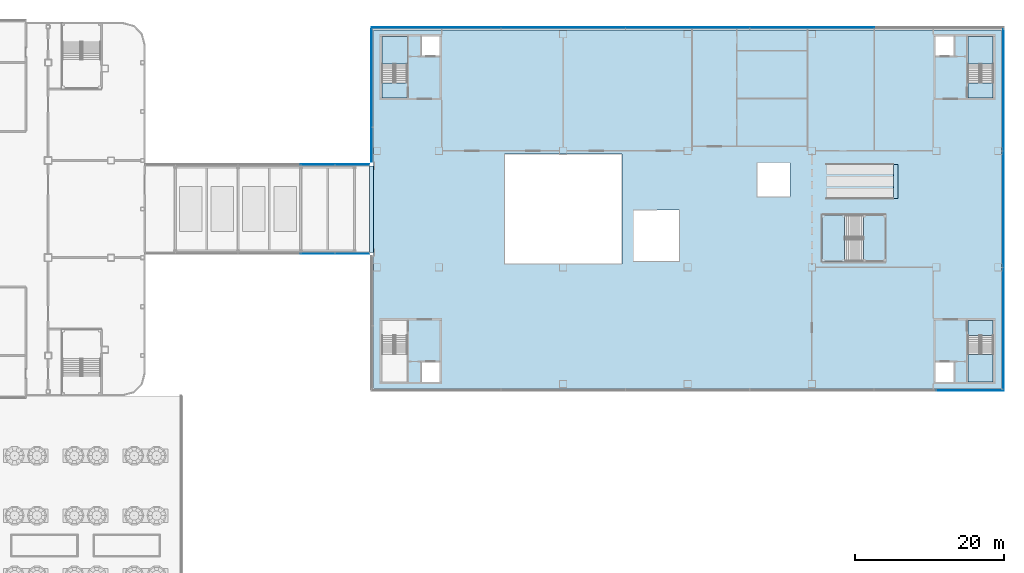
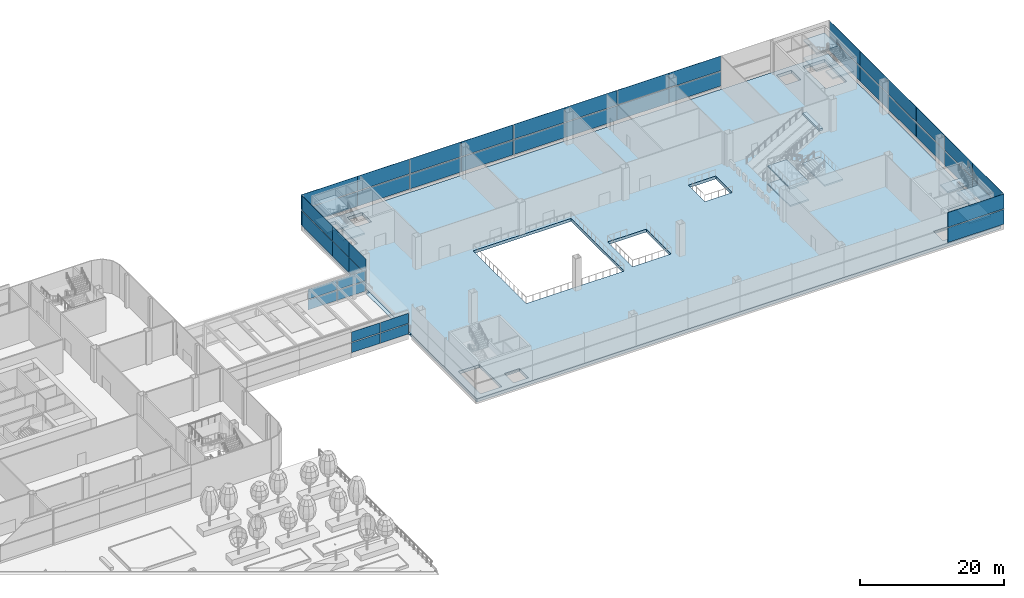
# One storey, part 28 of 100: 46 plates, 13 slabs, 10 elements without a shape of their own.
"""IFC4 building model written with IfcOpenShell, lengths in metres."""

from ifc_helpers import new_model, si_unit, direction, frame, origin, origin_2d, place, context, subcontext, project, spatial, polyline, rectangle, outline, extrude, material, layer, layer_set, type_object, element, aggregate, save


model = new_model("IFC4")

# Units and contexts
model_context = context("Model", 3, precision=1e-05, world=origin(), true_north=direction((0.0, 1.0)))
body_context = subcontext(model_context, "Body", "Model", "MODEL_VIEW")
ifc_project = project(units=[si_unit("LENGTHUNIT", "METRE"), si_unit("AREAUNIT", "SQUARE_METRE"), si_unit("VOLUMEUNIT", "CUBIC_METRE"), si_unit("PLANEANGLEUNIT", "RADIAN"), si_unit("MASSUNIT", "GRAM", prefix="KILO")], contexts=[model_context])

# Site, building, storey
site_placement = place(None, origin())
site = spatial("IfcSite", under=ifc_project, at=site_placement, CompositionType="ELEMENT")
building_placement = place(site_placement, origin())
building = spatial("IfcBuilding", under=site, at=building_placement, Name="Hakoniwa Tower and Hamabe Station Hall", CompositionType="ELEMENT")
storey_placement = place(building_placement, frame((0.0, 0.0, 9.0)))
storey = spatial("IfcBuildingStorey", under=building, at=storey_placement, Name="L02", CompositionType="ELEMENT", Elevation=9.0)

# Curtain wall, plates
ifc_material_1 = material(Name="Dark low-e laminated glass", Category="glass")
ifc_layer_1 = layer(ifc_material_1, 0.199951171875)
ifc_layer_set_1 = layer_set([ifc_layer_1], Name="CW-5 ARCADE")
curtain_wall_type_1 = type_object("IfcCurtainWallType", Name="CW-5 ARCADE", PredefinedType="NOTDEFINED", material=ifc_layer_set_1)
curtain_wall_1_placement = place(storey_placement, origin())
curtain_wall_1 = element("IfcCurtainWall", 1, at=curtain_wall_1_placement, inside=storey, type_object=curtain_wall_type_1, Name="CW-5 curtain wall", PredefinedType="NOTDEFINED")
ifc_material_2 = material(Name="Dark low-e laminated glass", Category="glass")
ifc_layer_2 = layer(ifc_material_2, 0.033935546875)
ifc_layer_set_2 = layer_set([ifc_layer_2], Name="CW-5 ARCADE GLASS UNIT")
plate_type_1 = type_object("IfcPlateType", Name="CW-5 ARCADE GLASS UNIT", PredefinedType="CURTAIN_PANEL", material=ifc_layer_set_2)
plate_1_placement = place(storey_placement, frame((78.10009765625, -5.986083984375, 0.35009765625), z_axis=(0.0, 0.0, 1.0), x_axis=(1.0, 0.0, 0.0)))
plate_1 = element("IfcPlate", 2, at=plate_1_placement, type_object=plate_type_1, Name="CW-5 glass unit", PredefinedType="CURTAIN_PANEL", context=body_context, shape_type="SweptSolid", body=[
    extrude(rectangle(XDim=4.580078125, YDim=0.033935546875, at=origin_2d()), origin(), (0.0, 0.0, 1.0), 1.68994140625),
])
plate_2_placement = place(storey_placement, frame((78.10009765625, -5.986083984375, 2.159912109375), z_axis=(0.0, 0.0, 1.0), x_axis=(1.0, 0.0, 0.0)))
plate_2 = element("IfcPlate", 3, at=plate_2_placement, type_object=plate_type_1, Name="CW-5 glass unit", PredefinedType="CURTAIN_PANEL", context=body_context, shape_type="SweptSolid", body=[
    extrude(rectangle(XDim=4.580078125, YDim=0.033935546875, at=origin_2d()), origin(), (0.0, 0.0, 1.0), 1.68994140625),
])
plate_3_placement = place(storey_placement, frame((82.699951171875, -5.986083984375, 0.35009765625), z_axis=(0.0, 0.0, 1.0), x_axis=(1.0, 0.0, 0.0)))
plate_3 = element("IfcPlate", 4, at=plate_3_placement, type_object=plate_type_1, Name="CW-5 glass unit", PredefinedType="CURTAIN_PANEL", context=body_context, shape_type="SweptSolid", body=[
    extrude(rectangle(XDim=4.580078125, YDim=0.033935546875, at=origin_2d()), origin(), (0.0, 0.0, 1.0), 1.68994140625),
])
plate_4_placement = place(storey_placement, frame((82.699951171875, -5.986083984375, 2.159912109375), z_axis=(0.0, 0.0, 1.0), x_axis=(1.0, 0.0, 0.0)))
plate_4 = element("IfcPlate", 5, at=plate_4_placement, type_object=plate_type_1, Name="CW-5 glass unit", PredefinedType="CURTAIN_PANEL", context=body_context, shape_type="SweptSolid", body=[
    extrude(rectangle(XDim=4.580078125, YDim=0.033935546875, at=origin_2d()), origin(), (0.0, 0.0, 1.0), 1.68994140625),
])
aggregate(curtain_wall_1, [plate_1, plate_2, plate_3, plate_4])

curtain_wall_2_placement = place(storey_placement, origin())
curtain_wall_2 = element("IfcCurtainWall", 6, at=curtain_wall_2_placement, inside=storey, type_object=curtain_wall_type_1, Name="CW-5 curtain wall", PredefinedType="NOTDEFINED")
plate_5_placement = place(storey_placement, frame((82.699951171875, 5.986083984375, 0.35009765625), z_axis=(0.0, 0.0, 1.0), x_axis=(-1.0, 0.0, 0.0)))
plate_5 = element("IfcPlate", 7, at=plate_5_placement, type_object=plate_type_1, Name="CW-5 glass unit", PredefinedType="CURTAIN_PANEL", context=body_context, shape_type="SweptSolid", body=[
    extrude(rectangle(XDim=4.580078125, YDim=0.033935546875, at=origin_2d()), origin(), (0.0, 0.0, 1.0), 1.68994140625),
])
plate_6_placement = place(storey_placement, frame((82.699951171875, 5.986083984375, 2.159912109375), z_axis=(0.0, 0.0, 1.0), x_axis=(-1.0, 0.0, 0.0)))
plate_6 = element("IfcPlate", 8, at=plate_6_placement, type_object=plate_type_1, Name="CW-5 glass unit", PredefinedType="CURTAIN_PANEL", context=body_context, shape_type="SweptSolid", body=[
    extrude(rectangle(XDim=4.580078125, YDim=0.033935546875, at=origin_2d()), origin(), (0.0, 0.0, 1.0), 1.68994140625),
])
plate_7_placement = place(storey_placement, frame((78.10009765625, 5.986083984375, 0.35009765625), z_axis=(0.0, 0.0, 1.0), x_axis=(-1.0, 0.0, 0.0)))
plate_7 = element("IfcPlate", 9, at=plate_7_placement, type_object=plate_type_1, Name="CW-5 glass unit", PredefinedType="CURTAIN_PANEL", context=body_context, shape_type="SweptSolid", body=[
    extrude(rectangle(XDim=4.580078125, YDim=0.033935546875, at=origin_2d()), origin(), (0.0, 0.0, 1.0), 1.68994140625),
])
plate_8_placement = place(storey_placement, frame((78.10009765625, 5.986083984375, 2.159912109375), z_axis=(0.0, 0.0, 1.0), x_axis=(-1.0, 0.0, 0.0)))
plate_8 = element("IfcPlate", 10, at=plate_8_placement, type_object=plate_type_1, Name="CW-5 glass unit", PredefinedType="CURTAIN_PANEL", context=body_context, shape_type="SweptSolid", body=[
    extrude(rectangle(XDim=4.580078125, YDim=0.033935546875, at=origin_2d()), origin(), (0.0, 0.0, 1.0), 1.68994140625),
])
aggregate(curtain_wall_2, [plate_5, plate_6, plate_7, plate_8])

ifc_material_3 = material(Name="Dark low-e laminated glass", Category="glass")
ifc_layer_3 = layer(ifc_material_3, 0.199951171875)
ifc_layer_set_3 = layer_set([ifc_layer_3], Name="CW-7 STATION")
curtain_wall_type_2 = type_object("IfcCurtainWallType", Name="CW-7 STATION", PredefinedType="NOTDEFINED", material=ifc_layer_set_3)
curtain_wall_3_placement = place(storey_placement, origin())
curtain_wall_3 = element("IfcCurtainWall", 11, at=curtain_wall_3_placement, inside=storey, type_object=curtain_wall_type_2, Name="Station curtain wall L02 south", PredefinedType="NOTDEFINED")
ifc_material_4 = material(Name="Dark low-e laminated glass", Category="glass")
ifc_layer_4 = layer(ifc_material_4, 0.0400390625)
ifc_layer_set_4 = layer_set([ifc_layer_4], Name="CW-7 STATION GLASS UNIT")
plate_type_2 = type_object("IfcPlateType", Name="CW-7 STATION GLASS UNIT", PredefinedType="CURTAIN_PANEL", material=ifc_layer_set_4)
plate_9_placement = place(storey_placement, frame((165.340087890625, -24.285888671875, 0.35009765625), z_axis=(0.0, 0.0, 1.0), x_axis=(1.0, 0.0, 0.0)))
plate_9 = element("IfcPlate", 12, at=plate_9_placement, type_object=plate_type_2, Name="CW-7 glass unit", PredefinedType="CURTAIN_PANEL", context=body_context, shape_type="SweptSolid", body=[
    extrude(rectangle(XDim=9.0, YDim=0.0400390625, at=origin_2d()), origin(), (0.0, 0.0, 1.0), 2.489990234375),
])
plate_10_placement = place(storey_placement, frame((165.340087890625, -24.285888671875, 2.9599609375), z_axis=(0.0, 0.0, 1.0), x_axis=(1.0, 0.0, 0.0)))
plate_10 = element("IfcPlate", 13, at=plate_10_placement, type_object=plate_type_2, Name="CW-7 glass unit", PredefinedType="CURTAIN_PANEL", context=body_context, shape_type="SweptSolid", body=[
    extrude(rectangle(XDim=9.0, YDim=0.0400390625, at=origin_2d()), origin(), (0.0, 0.0, 1.0), 2.489990234375),
])
aggregate(curtain_wall_3, [plate_9, plate_10])

curtain_wall_4_placement = place(storey_placement, origin())
curtain_wall_4 = element("IfcCurtainWall", 14, at=curtain_wall_4_placement, inside=storey, type_object=curtain_wall_type_2, Name="Station curtain wall L02 east", PredefinedType="NOTDEFINED")
plate_11_placement = place(storey_placement, frame((169.8359375, -19.85009765625, 0.35009765625), z_axis=(0.0, 0.0, 1.0), x_axis=(0.0, 1.0, 0.0)))
plate_11 = element("IfcPlate", 15, at=plate_11_placement, type_object=plate_type_2, Name="CW-7 glass unit", PredefinedType="CURTAIN_PANEL", context=body_context, shape_type="SweptSolid", body=[
    extrude(rectangle(XDim=8.47998046875, YDim=0.0400390625, at=origin_2d()), origin(), (0.0, 0.0, 1.0), 2.489990234375),
])
plate_12_placement = place(storey_placement, frame((169.8359375, -19.85009765625, 2.9599609375), z_axis=(0.0, 0.0, 1.0), x_axis=(0.0, 1.0, 0.0)))
plate_12 = element("IfcPlate", 16, at=plate_12_placement, type_object=plate_type_2, Name="CW-7 glass unit", PredefinedType="CURTAIN_PANEL", context=body_context, shape_type="SweptSolid", body=[
    extrude(rectangle(XDim=8.47998046875, YDim=0.0400390625, at=origin_2d()), origin(), (0.0, 0.0, 1.0), 2.489990234375),
])
plate_13_placement = place(storey_placement, frame((169.8359375, -11.699951171875, 0.35009765625), z_axis=(0.0, 0.0, 1.0), x_axis=(0.0, 1.0, 0.0)))
plate_13 = element("IfcPlate", 17, at=plate_13_placement, type_object=plate_type_2, Name="CW-7 glass unit", PredefinedType="CURTAIN_PANEL", context=body_context, shape_type="SweptSolid", body=[
    extrude(rectangle(XDim=7.780029296875, YDim=0.0400390625, at=origin_2d()), origin(), (0.0, 0.0, 1.0), 2.489990234375),
])
plate_14_placement = place(storey_placement, frame((169.8359375, -11.699951171875, 2.9599609375), z_axis=(0.0, 0.0, 1.0), x_axis=(0.0, 1.0, 0.0)))
plate_14 = element("IfcPlate", 18, at=plate_14_placement, type_object=plate_type_2, Name="CW-7 glass unit", PredefinedType="CURTAIN_PANEL", context=body_context, shape_type="SweptSolid", body=[
    extrude(rectangle(XDim=7.780029296875, YDim=0.0400390625, at=origin_2d()), origin(), (0.0, 0.0, 1.0), 2.489990234375),
])
plate_15_placement = place(storey_placement, frame((169.8359375, -3.89990234375, 0.35009765625), z_axis=(0.0, 0.0, 1.0), x_axis=(0.0, 1.0, 0.0)))
plate_15 = element("IfcPlate", 19, at=plate_15_placement, type_object=plate_type_2, Name="CW-7 glass unit", PredefinedType="CURTAIN_PANEL", context=body_context, shape_type="SweptSolid", body=[
    extrude(rectangle(XDim=7.780029296875, YDim=0.0400390625, at=origin_2d()), origin(), (0.0, 0.0, 1.0), 2.489990234375),
])
plate_16_placement = place(storey_placement, frame((169.8359375, -3.89990234375, 2.9599609375), z_axis=(0.0, 0.0, 1.0), x_axis=(0.0, 1.0, 0.0)))
plate_16 = element("IfcPlate", 20, at=plate_16_placement, type_object=plate_type_2, Name="CW-7 glass unit", PredefinedType="CURTAIN_PANEL", context=body_context, shape_type="SweptSolid", body=[
    extrude(rectangle(XDim=7.780029296875, YDim=0.0400390625, at=origin_2d()), origin(), (0.0, 0.0, 1.0), 2.489990234375),
])
plate_17_placement = place(storey_placement, frame((169.8359375, 3.89990234375, 0.35009765625), z_axis=(0.0, 0.0, 1.0), x_axis=(0.0, 1.0, 0.0)))
plate_17 = element("IfcPlate", 21, at=plate_17_placement, type_object=plate_type_2, Name="CW-7 glass unit", PredefinedType="CURTAIN_PANEL", context=body_context, shape_type="SweptSolid", body=[
    extrude(rectangle(XDim=7.780029296875, YDim=0.0400390625, at=origin_2d()), origin(), (0.0, 0.0, 1.0), 2.489990234375),
])
plate_18_placement = place(storey_placement, frame((169.8359375, 3.89990234375, 2.9599609375), z_axis=(0.0, 0.0, 1.0), x_axis=(0.0, 1.0, 0.0)))
plate_18 = element("IfcPlate", 22, at=plate_18_placement, type_object=plate_type_2, Name="CW-7 glass unit", PredefinedType="CURTAIN_PANEL", context=body_context, shape_type="SweptSolid", body=[
    extrude(rectangle(XDim=7.780029296875, YDim=0.0400390625, at=origin_2d()), origin(), (0.0, 0.0, 1.0), 2.489990234375),
])
plate_19_placement = place(storey_placement, frame((169.8359375, 11.699951171875, 0.35009765625), z_axis=(0.0, 0.0, 1.0), x_axis=(0.0, 1.0, 0.0)))
plate_19 = element("IfcPlate", 23, at=plate_19_placement, type_object=plate_type_2, Name="CW-7 glass unit", PredefinedType="CURTAIN_PANEL", context=body_context, shape_type="SweptSolid", body=[
    extrude(rectangle(XDim=7.780029296875, YDim=0.0400390625, at=origin_2d()), origin(), (0.0, 0.0, 1.0), 2.489990234375),
])
plate_20_placement = place(storey_placement, frame((169.8359375, 11.699951171875, 2.9599609375), z_axis=(0.0, 0.0, 1.0), x_axis=(0.0, 1.0, 0.0)))
plate_20 = element("IfcPlate", 24, at=plate_20_placement, type_object=plate_type_2, Name="CW-7 glass unit", PredefinedType="CURTAIN_PANEL", context=body_context, shape_type="SweptSolid", body=[
    extrude(rectangle(XDim=7.780029296875, YDim=0.0400390625, at=origin_2d()), origin(), (0.0, 0.0, 1.0), 2.489990234375),
])
plate_21_placement = place(storey_placement, frame((169.8359375, 19.85009765625, 0.35009765625), z_axis=(0.0, 0.0, 1.0), x_axis=(0.0, 1.0, 0.0)))
plate_21 = element("IfcPlate", 25, at=plate_21_placement, type_object=plate_type_2, Name="CW-7 glass unit", PredefinedType="CURTAIN_PANEL", context=body_context, shape_type="SweptSolid", body=[
    extrude(rectangle(XDim=8.47998046875, YDim=0.0400390625, at=origin_2d()), origin(), (0.0, 0.0, 1.0), 2.489990234375),
])
plate_22_placement = place(storey_placement, frame((169.8359375, 19.85009765625, 2.9599609375), z_axis=(0.0, 0.0, 1.0), x_axis=(0.0, 1.0, 0.0)))
plate_22 = element("IfcPlate", 26, at=plate_22_placement, type_object=plate_type_2, Name="CW-7 glass unit", PredefinedType="CURTAIN_PANEL", context=body_context, shape_type="SweptSolid", body=[
    extrude(rectangle(XDim=8.47998046875, YDim=0.0400390625, at=origin_2d()), origin(), (0.0, 0.0, 1.0), 2.489990234375),
])
aggregate(curtain_wall_4, [plate_11, plate_12, plate_13, plate_14, plate_15, plate_16, plate_17, plate_18, plate_19, plate_20, plate_21, plate_22])

curtain_wall_5_placement = place(storey_placement, origin())
curtain_wall_5 = element("IfcCurtainWall", 27, at=curtain_wall_5_placement, inside=storey, type_object=curtain_wall_type_2, Name="Station curtain wall L02 north", PredefinedType="NOTDEFINED")
plate_23_placement = place(storey_placement, frame((148.35009765625, 24.285888671875, 0.35009765625), z_axis=(0.0, 0.0, 1.0), x_axis=(-1.0, 0.0, 0.0)))
plate_23 = element("IfcPlate", 28, at=plate_23_placement, type_object=plate_type_2, Name="CW-7 glass unit", PredefinedType="CURTAIN_PANEL", context=body_context, shape_type="SweptSolid", body=[
    extrude(rectangle(XDim=8.300048828125, YDim=0.0400390625, at=origin_2d()), origin(), (0.0, 0.0, 1.0), 2.489990234375),
])
plate_24_placement = place(storey_placement, frame((148.35009765625, 24.285888671875, 2.9599609375), z_axis=(0.0, 0.0, 1.0), x_axis=(-1.0, 0.0, 0.0)))
plate_24 = element("IfcPlate", 29, at=plate_24_placement, type_object=plate_type_2, Name="CW-7 glass unit", PredefinedType="CURTAIN_PANEL", context=body_context, shape_type="SweptSolid", body=[
    extrude(rectangle(XDim=8.300048828125, YDim=0.0400390625, at=origin_2d()), origin(), (0.0, 0.0, 1.0), 2.489990234375),
])
plate_25_placement = place(storey_placement, frame((140.030029296875, 24.285888671875, 0.35009765625), z_axis=(0.0, 0.0, 1.0), x_axis=(-1.0, 0.0, 0.0)))
plate_25 = element("IfcPlate", 30, at=plate_25_placement, type_object=plate_type_2, Name="CW-7 glass unit", PredefinedType="CURTAIN_PANEL", context=body_context, shape_type="SweptSolid", body=[
    extrude(rectangle(XDim=8.300048828125, YDim=0.0400390625, at=origin_2d()), origin(), (0.0, 0.0, 1.0), 2.489990234375),
])
plate_26_placement = place(storey_placement, frame((140.030029296875, 24.285888671875, 2.9599609375), z_axis=(0.0, 0.0, 1.0), x_axis=(-1.0, 0.0, 0.0)))
plate_26 = element("IfcPlate", 31, at=plate_26_placement, type_object=plate_type_2, Name="CW-7 glass unit", PredefinedType="CURTAIN_PANEL", context=body_context, shape_type="SweptSolid", body=[
    extrude(rectangle(XDim=8.300048828125, YDim=0.0400390625, at=origin_2d()), origin(), (0.0, 0.0, 1.0), 2.489990234375),
])
plate_27_placement = place(storey_placement, frame((131.7099609375, 24.285888671875, 0.35009765625), z_axis=(0.0, 0.0, 1.0), x_axis=(-1.0, 0.0, 0.0)))
plate_27 = element("IfcPlate", 32, at=plate_27_placement, type_object=plate_type_2, Name="CW-7 glass unit", PredefinedType="CURTAIN_PANEL", context=body_context, shape_type="SweptSolid", body=[
    extrude(rectangle(XDim=8.300048828125, YDim=0.0400390625, at=origin_2d()), origin(), (0.0, 0.0, 1.0), 2.489990234375),
])
plate_28_placement = place(storey_placement, frame((131.7099609375, 24.285888671875, 2.9599609375), z_axis=(0.0, 0.0, 1.0), x_axis=(-1.0, 0.0, 0.0)))
plate_28 = element("IfcPlate", 33, at=plate_28_placement, type_object=plate_type_2, Name="CW-7 glass unit", PredefinedType="CURTAIN_PANEL", context=body_context, shape_type="SweptSolid", body=[
    extrude(rectangle(XDim=8.300048828125, YDim=0.0400390625, at=origin_2d()), origin(), (0.0, 0.0, 1.0), 2.489990234375),
])
plate_29_placement = place(storey_placement, frame((123.389892578125, 24.285888671875, 0.35009765625), z_axis=(0.0, 0.0, 1.0), x_axis=(-1.0, 0.0, 0.0)))
plate_29 = element("IfcPlate", 34, at=plate_29_placement, type_object=plate_type_2, Name="CW-7 glass unit", PredefinedType="CURTAIN_PANEL", context=body_context, shape_type="SweptSolid", body=[
    extrude(rectangle(XDim=8.300048828125, YDim=0.0400390625, at=origin_2d()), origin(), (0.0, 0.0, 1.0), 2.489990234375),
])
plate_30_placement = place(storey_placement, frame((123.389892578125, 24.285888671875, 2.9599609375), z_axis=(0.0, 0.0, 1.0), x_axis=(-1.0, 0.0, 0.0)))
plate_30 = element("IfcPlate", 35, at=plate_30_placement, type_object=plate_type_2, Name="CW-7 glass unit", PredefinedType="CURTAIN_PANEL", context=body_context, shape_type="SweptSolid", body=[
    extrude(rectangle(XDim=8.300048828125, YDim=0.0400390625, at=origin_2d()), origin(), (0.0, 0.0, 1.0), 2.489990234375),
])
plate_31_placement = place(storey_placement, frame((115.070068359375, 24.285888671875, 0.35009765625), z_axis=(0.0, 0.0, 1.0), x_axis=(-1.0, 0.0, 0.0)))
plate_31 = element("IfcPlate", 36, at=plate_31_placement, type_object=plate_type_2, Name="CW-7 glass unit", PredefinedType="CURTAIN_PANEL", context=body_context, shape_type="SweptSolid", body=[
    extrude(rectangle(XDim=8.300048828125, YDim=0.0400390625, at=origin_2d()), origin(), (0.0, 0.0, 1.0), 2.489990234375),
])
plate_32_placement = place(storey_placement, frame((115.070068359375, 24.285888671875, 2.9599609375), z_axis=(0.0, 0.0, 1.0), x_axis=(-1.0, 0.0, 0.0)))
plate_32 = element("IfcPlate", 37, at=plate_32_placement, type_object=plate_type_2, Name="CW-7 glass unit", PredefinedType="CURTAIN_PANEL", context=body_context, shape_type="SweptSolid", body=[
    extrude(rectangle(XDim=8.300048828125, YDim=0.0400390625, at=origin_2d()), origin(), (0.0, 0.0, 1.0), 2.489990234375),
])
plate_33_placement = place(storey_placement, frame((106.75, 24.285888671875, 0.35009765625), z_axis=(0.0, 0.0, 1.0), x_axis=(-1.0, 0.0, 0.0)))
plate_33 = element("IfcPlate", 38, at=plate_33_placement, type_object=plate_type_2, Name="CW-7 glass unit", PredefinedType="CURTAIN_PANEL", context=body_context, shape_type="SweptSolid", body=[
    extrude(rectangle(XDim=8.300048828125, YDim=0.0400390625, at=origin_2d()), origin(), (0.0, 0.0, 1.0), 2.489990234375),
])
plate_34_placement = place(storey_placement, frame((106.75, 24.285888671875, 2.9599609375), z_axis=(0.0, 0.0, 1.0), x_axis=(-1.0, 0.0, 0.0)))
plate_34 = element("IfcPlate", 39, at=plate_34_placement, type_object=plate_type_2, Name="CW-7 glass unit", PredefinedType="CURTAIN_PANEL", context=body_context, shape_type="SweptSolid", body=[
    extrude(rectangle(XDim=8.300048828125, YDim=0.0400390625, at=origin_2d()), origin(), (0.0, 0.0, 1.0), 2.489990234375),
])
plate_35_placement = place(storey_placement, frame((98.429931640625, 24.285888671875, 0.35009765625), z_axis=(0.0, 0.0, 1.0), x_axis=(-1.0, 0.0, 0.0)))
plate_35 = element("IfcPlate", 40, at=plate_35_placement, type_object=plate_type_2, Name="CW-7 glass unit", PredefinedType="CURTAIN_PANEL", context=body_context, shape_type="SweptSolid", body=[
    extrude(rectangle(XDim=8.300048828125, YDim=0.0400390625, at=origin_2d()), origin(), (0.0, 0.0, 1.0), 2.489990234375),
])
plate_36_placement = place(storey_placement, frame((98.429931640625, 24.285888671875, 2.9599609375), z_axis=(0.0, 0.0, 1.0), x_axis=(-1.0, 0.0, 0.0)))
plate_36 = element("IfcPlate", 41, at=plate_36_placement, type_object=plate_type_2, Name="CW-7 glass unit", PredefinedType="CURTAIN_PANEL", context=body_context, shape_type="SweptSolid", body=[
    extrude(rectangle(XDim=8.300048828125, YDim=0.0400390625, at=origin_2d()), origin(), (0.0, 0.0, 1.0), 2.489990234375),
])
plate_37_placement = place(storey_placement, frame((89.760009765625, 24.285888671875, 0.35009765625), z_axis=(0.0, 0.0, 1.0), x_axis=(-1.0, 0.0, 0.0)))
plate_37 = element("IfcPlate", 42, at=plate_37_placement, type_object=plate_type_2, Name="CW-7 glass unit", PredefinedType="CURTAIN_PANEL", context=body_context, shape_type="SweptSolid", body=[
    extrude(rectangle(XDim=9.0, YDim=0.0400390625, at=origin_2d()), origin(), (0.0, 0.0, 1.0), 2.489990234375),
])
plate_38_placement = place(storey_placement, frame((89.760009765625, 24.285888671875, 2.9599609375), z_axis=(0.0, 0.0, 1.0), x_axis=(-1.0, 0.0, 0.0)))
plate_38 = element("IfcPlate", 43, at=plate_38_placement, type_object=plate_type_2, Name="CW-7 glass unit", PredefinedType="CURTAIN_PANEL", context=body_context, shape_type="SweptSolid", body=[
    extrude(rectangle(XDim=9.0, YDim=0.0400390625, at=origin_2d()), origin(), (0.0, 0.0, 1.0), 2.489990234375),
])
aggregate(curtain_wall_5, [plate_23, plate_24, plate_25, plate_26, plate_27, plate_28, plate_29, plate_30, plate_31, plate_32, plate_33, plate_34, plate_35, plate_36, plate_37, plate_38])

curtain_wall_6_placement = place(storey_placement, origin())
curtain_wall_6 = element("IfcCurtainWall", 44, at=curtain_wall_6_placement, inside=storey, type_object=curtain_wall_type_2, Name="Station curtain wall L02 west", PredefinedType="NOTDEFINED")
plate_39_placement = place(storey_placement, frame((85.263916015625, 19.85009765625, 0.35009765625), z_axis=(0.0, 0.0, 1.0), x_axis=(0.0, -1.0, 0.0)))
plate_39 = element("IfcPlate", 45, at=plate_39_placement, type_object=plate_type_2, Name="CW-7 glass unit", PredefinedType="CURTAIN_PANEL", context=body_context, shape_type="SweptSolid", body=[
    extrude(rectangle(XDim=8.47998046875, YDim=0.0400390625, at=origin_2d()), origin(), (0.0, 0.0, 1.0), 2.489990234375),
])
plate_40_placement = place(storey_placement, frame((85.263916015625, 19.85009765625, 2.9599609375), z_axis=(0.0, 0.0, 1.0), x_axis=(0.0, -1.0, 0.0)))
plate_40 = element("IfcPlate", 46, at=plate_40_placement, type_object=plate_type_2, Name="CW-7 glass unit", PredefinedType="CURTAIN_PANEL", context=body_context, shape_type="SweptSolid", body=[
    extrude(rectangle(XDim=8.47998046875, YDim=0.0400390625, at=origin_2d()), origin(), (0.0, 0.0, 1.0), 2.489990234375),
])
plate_41_placement = place(storey_placement, frame((85.263916015625, 13.27490234375, 0.35009765625), z_axis=(0.0, 0.0, 1.0), x_axis=(0.0, -1.0, 0.0)))
plate_41 = element("IfcPlate", 47, at=plate_41_placement, type_object=plate_type_2, Name="CW-7 glass unit", PredefinedType="CURTAIN_PANEL", context=body_context, shape_type="SweptSolid", body=[
    extrude(rectangle(XDim=4.6298828125, YDim=0.0400390625, at=origin_2d()), origin(), (0.0, 0.0, 1.0), 2.489990234375),
])
plate_42_placement = place(storey_placement, frame((85.263916015625, 13.27490234375, 2.9599609375), z_axis=(0.0, 0.0, 1.0), x_axis=(0.0, -1.0, 0.0)))
plate_42 = element("IfcPlate", 48, at=plate_42_placement, type_object=plate_type_2, Name="CW-7 glass unit", PredefinedType="CURTAIN_PANEL", context=body_context, shape_type="SweptSolid", body=[
    extrude(rectangle(XDim=4.6298828125, YDim=0.0400390625, at=origin_2d()), origin(), (0.0, 0.0, 1.0), 2.489990234375),
])
plate_43_placement = place(storey_placement, frame((85.263916015625, 8.625, 0.35009765625), z_axis=(0.0, 0.0, 1.0), x_axis=(0.0, -1.0, 0.0)))
plate_43 = element("IfcPlate", 49, at=plate_43_placement, type_object=plate_type_2, Name="CW-7 glass unit", PredefinedType="CURTAIN_PANEL", context=body_context, shape_type="SweptSolid", body=[
    extrude(rectangle(XDim=4.6298828125, YDim=0.0400390625, at=origin_2d()), origin(), (0.0, 0.0, 1.0), 2.489990234375),
])
plate_44_placement = place(storey_placement, frame((85.263916015625, 8.625, 2.9599609375), z_axis=(0.0, 0.0, 1.0), x_axis=(0.0, -1.0, 0.0)))
plate_44 = element("IfcPlate", 50, at=plate_44_placement, type_object=plate_type_2, Name="CW-7 glass unit", PredefinedType="CURTAIN_PANEL", context=body_context, shape_type="SweptSolid", body=[
    extrude(rectangle(XDim=4.6298828125, YDim=0.0400390625, at=origin_2d()), origin(), (0.0, 0.0, 1.0), 2.489990234375),
])
aggregate(curtain_wall_6, [plate_39, plate_40, plate_41, plate_42, plate_43, plate_44])

# Plates
ifc_material_5 = material(Name="Stainless steel SUS304", Category="steel")
ifc_layer_5 = layer(ifc_material_5, 0.346435546875)
ifc_layer_set_5 = layer_set([ifc_layer_5], Name="ESCALATOR LANDING PLATE")
plate_type_3 = type_object("IfcPlateType", Name="ESCALATOR LANDING PLATE", PredefinedType="SHEET", material=ifc_layer_set_5)
plate_45_placement = place(storey_placement, frame((0.0, 0.0, 5.653564453125)))
element("IfcPlate", 51, at=plate_45_placement, inside=storey, type_object=plate_type_3, Name="Escalator landing plate ESC-B", PredefinedType="SHEET", context=body_context, shape_type="SweptSolid", body=[
    extrude(outline(polyline([(155.67626953125, 1.39990234375), (155.67626953125, 6.0), (155.076171875, 6.0), (155.076171875, 1.39990234375), (155.67626953125, 1.39990234375)])), origin(), (0.0, 0.0, 1.0), 0.346435546875),
])
ifc_material_6 = material(Name="Stainless steel plate", Category="steel")
ifc_layer_6 = layer(ifc_material_6, 0.02001953125)
ifc_layer_set_6 = layer_set([ifc_layer_6], Name="JOINT COVER PLATE 20")
plate_type_4 = type_object("IfcPlateType", Name="JOINT COVER PLATE 20", PredefinedType="SHEET", material=ifc_layer_set_6)
plate_46_placement = place(storey_placement, frame((85.27490234375, 0.0, -0.02001953125), z_axis=(0.0, 0.0, 1.0), x_axis=(1.0, 0.0, 0.0)))
element("IfcPlate", 52, at=plate_46_placement, inside=storey, type_object=plate_type_4, Name="Movement joint cover plate", PredefinedType="SHEET", context=body_context, shape_type="SweptSolid", body=[
    extrude(rectangle(XDim=0.550048828125, YDim=11.60009765625, at=origin_2d()), origin(), (0.0, 0.0, 1.0), 0.02001953125),
])

# Stair, slabs
ifc_material_7 = material(Name="Concrete C40", Category="concrete")
stair_type_1 = type_object("IfcStairType", Name="STAIR 1600 10X150", PredefinedType="HALF_TURN_STAIR", material=ifc_material_7)
stair_1_placement = place(storey_placement, origin())
stair_1 = element("IfcStair", 53, at=stair_1_placement, inside=storey, type_object=stair_type_1, Name="Escape stair SS1 L02", PredefinedType="HALF_TURN_STAIR")
ifc_material_8 = material(Name="Concrete C40", Category="concrete")
ifc_layer_7 = layer(ifc_material_8, 0.25)
ifc_layer_set_7 = layer_set([ifc_layer_7], Name="STAIR LANDING 250")
slab_type_1 = type_object("IfcSlabType", Name="STAIR LANDING 250", PredefinedType="LANDING", material=ifc_layer_set_7)
slab_1_placement = place(storey_placement, frame((0.0, 0.0, 1.25)))
slab_1 = element("IfcSlab", 54, at=slab_1_placement, type_object=slab_type_1, Name="SS1 landing 1", PredefinedType="LANDING", context=body_context, shape_type="SweptSolid", body=[
    extrude(outline(polyline([(90.050048828125, 19.419921875), (90.050048828125, 23.10009765625), (86.64990234375, 23.10009765625), (86.64990234375, 19.419921875), (90.050048828125, 19.419921875)])), origin(), (0.0, 0.0, 1.0), 0.25),
])
slab_2_placement = place(storey_placement, frame((0.0, 0.0, 2.75)))
slab_2 = element("IfcSlab", 55, at=slab_2_placement, type_object=slab_type_1, Name="SS1 landing 2", PredefinedType="LANDING", context=body_context, shape_type="SweptSolid", body=[
    extrude(outline(polyline([(90.050048828125, 14.89990234375), (90.050048828125, 16.89990234375), (86.64990234375, 16.89990234375), (86.64990234375, 14.89990234375), (90.050048828125, 14.89990234375)])), origin(), (0.0, 0.0, 1.0), 0.25),
])
slab_3_placement = place(storey_placement, frame((0.0, 0.0, 4.25)))
slab_3 = element("IfcSlab", 56, at=slab_3_placement, type_object=slab_type_1, Name="SS1 landing 3", PredefinedType="LANDING", context=body_context, shape_type="SweptSolid", body=[
    extrude(outline(polyline([(90.050048828125, 19.419921875), (90.050048828125, 23.10009765625), (86.64990234375, 23.10009765625), (86.64990234375, 19.419921875), (90.050048828125, 19.419921875)])), origin(), (0.0, 0.0, 1.0), 0.25),
])
aggregate(stair_1, [slab_1, slab_2, slab_3])

stair_2_placement = place(storey_placement, origin())
stair_2 = element("IfcStair", 57, at=stair_2_placement, inside=storey, type_object=stair_type_1, Name="Escape stair SS2 L02", PredefinedType="HALF_TURN_STAIR")
slab_4_placement = place(storey_placement, frame((0.0, 0.0, 1.25)))
slab_4 = element("IfcSlab", 58, at=slab_4_placement, type_object=slab_type_1, Name="SS2 landing 1", PredefinedType="LANDING", context=body_context, shape_type="SweptSolid", body=[
    extrude(outline(polyline([(168.449951171875, 19.419921875), (168.449951171875, 23.10009765625), (165.050048828125, 23.10009765625), (165.050048828125, 19.419921875), (168.449951171875, 19.419921875)])), origin(), (0.0, 0.0, 1.0), 0.25),
])
slab_5_placement = place(storey_placement, frame((0.0, 0.0, 2.75)))
slab_5 = element("IfcSlab", 59, at=slab_5_placement, type_object=slab_type_1, Name="SS2 landing 2", PredefinedType="LANDING", context=body_context, shape_type="SweptSolid", body=[
    extrude(outline(polyline([(168.449951171875, 14.89990234375), (168.449951171875, 16.89990234375), (165.050048828125, 16.89990234375), (165.050048828125, 14.89990234375), (168.449951171875, 14.89990234375)])), origin(), (0.0, 0.0, 1.0), 0.25),
])
slab_6_placement = place(storey_placement, frame((0.0, 0.0, 4.25)))
slab_6 = element("IfcSlab", 60, at=slab_6_placement, type_object=slab_type_1, Name="SS2 landing 3", PredefinedType="LANDING", context=body_context, shape_type="SweptSolid", body=[
    extrude(outline(polyline([(168.449951171875, 19.419921875), (168.449951171875, 23.10009765625), (165.050048828125, 23.10009765625), (165.050048828125, 19.419921875), (168.449951171875, 19.419921875)])), origin(), (0.0, 0.0, 1.0), 0.25),
])
aggregate(stair_2, [slab_4, slab_5, slab_6])

stair_3_placement = place(storey_placement, origin())
stair_3 = element("IfcStair", 61, at=stair_3_placement, inside=storey, type_object=stair_type_1, Name="Escape stair SS4 L02", PredefinedType="HALF_TURN_STAIR")
slab_7_placement = place(storey_placement, frame((0.0, 0.0, 1.25)))
slab_7 = element("IfcSlab", 62, at=slab_7_placement, type_object=slab_type_1, Name="SS4 landing 1", PredefinedType="LANDING", context=body_context, shape_type="SweptSolid", body=[
    extrude(outline(polyline([(165.050048828125, -19.419921875), (165.050048828125, -23.10009765625), (168.449951171875, -23.10009765625), (168.449951171875, -19.419921875), (165.050048828125, -19.419921875)])), origin(), (0.0, 0.0, 1.0), 0.25),
])
slab_8_placement = place(storey_placement, frame((0.0, 0.0, 2.75)))
slab_8 = element("IfcSlab", 63, at=slab_8_placement, type_object=slab_type_1, Name="SS4 landing 2", PredefinedType="LANDING", context=body_context, shape_type="SweptSolid", body=[
    extrude(outline(polyline([(165.050048828125, -14.89990234375), (165.050048828125, -16.89990234375), (168.449951171875, -16.89990234375), (168.449951171875, -14.89990234375), (165.050048828125, -14.89990234375)])), origin(), (0.0, 0.0, 1.0), 0.25),
])
slab_9_placement = place(storey_placement, frame((0.0, 0.0, 4.25)))
slab_9 = element("IfcSlab", 64, at=slab_9_placement, type_object=slab_type_1, Name="SS4 landing 3", PredefinedType="LANDING", context=body_context, shape_type="SweptSolid", body=[
    extrude(outline(polyline([(165.050048828125, -19.419921875), (165.050048828125, -23.10009765625), (168.449951171875, -23.10009765625), (168.449951171875, -19.419921875), (165.050048828125, -19.419921875)])), origin(), (0.0, 0.0, 1.0), 0.25),
])
aggregate(stair_3, [slab_7, slab_8, slab_9])

ifc_material_9 = material(Name="Concrete C40", Category="concrete")
stair_type_2 = type_object("IfcStairType", Name="STAIR 3000 10X150", PredefinedType="HALF_TURN_STAIR", material=ifc_material_9)
stair_4_placement = place(storey_placement, origin())
stair_4 = element("IfcStair", 65, at=stair_4_placement, inside=storey, type_object=stair_type_2, Name="Platform stair 1 L02-L03", PredefinedType="HALF_TURN_STAIR")
slab_10_placement = place(storey_placement, frame((0.0, 0.0, 1.25)))
slab_10 = element("IfcSlab", 66, at=slab_10_placement, type_object=slab_type_1, Name="PA1 landing 1", PredefinedType="LANDING", context=body_context, shape_type="SweptSolid", body=[
    extrude(outline(polyline([(148.550048828125, -0.800048828125), (145.550048828125, -0.800048828125), (145.550048828125, -7.0), (148.550048828125, -7.0), (148.550048828125, -0.800048828125)])), origin(), (0.0, 0.0, 1.0), 0.25),
])
slab_11_placement = place(storey_placement, frame((0.0, 0.0, 2.75)))
slab_11 = element("IfcSlab", 67, at=slab_11_placement, type_object=slab_type_1, Name="PA1 landing 2", PredefinedType="LANDING", context=body_context, shape_type="SweptSolid", body=[
    extrude(outline(polyline([(154.070068359375, -0.800048828125), (151.070068359375, -0.800048828125), (151.070068359375, -7.0), (154.070068359375, -7.0), (154.070068359375, -0.800048828125)])), origin(), (0.0, 0.0, 1.0), 0.25),
])
slab_12_placement = place(storey_placement, frame((0.0, 0.0, 4.25)))
slab_12 = element("IfcSlab", 68, at=slab_12_placement, type_object=slab_type_1, Name="PA1 landing 3", PredefinedType="LANDING", context=body_context, shape_type="SweptSolid", body=[
    extrude(outline(polyline([(148.550048828125, -0.800048828125), (145.550048828125, -0.800048828125), (145.550048828125, -7.0), (148.550048828125, -7.0), (148.550048828125, -0.800048828125)])), origin(), (0.0, 0.0, 1.0), 0.25),
])
aggregate(stair_4, [slab_10, slab_11, slab_12])

# Slab
ifc_material_10 = material(Name="Concrete C40", Category="concrete")
ifc_layer_8 = layer(ifc_material_10, 0.5)
ifc_layer_set_8 = layer_set([ifc_layer_8], Name="STATION FLOOR SLAB 500")
slab_type_2 = type_object("IfcSlabType", Name="STATION FLOOR SLAB 500", PredefinedType="FLOOR", material=ifc_layer_set_8)
slab_13_placement = place(storey_placement, frame((0.0, 0.0, -0.5)))
element("IfcSlab", 69, at=slab_13_placement, inside=storey, type_object=slab_type_2, Name="Station floor slab L02", PredefinedType="FLOOR", context=body_context, shape_type="SweptSolid", body=[
    extrude(outline(polyline([(169.550048828125, -24.0), (169.550048828125, 24.0), (85.550048828125, 24.0), (85.550048828125, -24.0), (169.550048828125, -24.0)]), holes=[polyline([(118.75, -7.35009765625), (103.050048828125, -7.35009765625), (103.050048828125, 7.35009765625), (118.75, 7.35009765625), (118.75, -7.35009765625)]), polyline([(94.3701171875, 20.5), (91.949951171875, 20.5), (91.949951171875, 23.10009765625), (94.3701171875, 23.10009765625), (94.3701171875, 20.5)]), polyline([(90.050048828125, 16.909912109375), (86.64990234375, 16.909912109375), (86.64990234375, 23.10009765625), (90.050048828125, 23.10009765625), (90.050048828125, 16.909912109375)]), polyline([(163.14990234375, 20.5), (160.72998046875, 20.5), (160.72998046875, 23.10009765625), (163.14990234375, 23.10009765625), (163.14990234375, 20.5)]), polyline([(168.449951171875, 16.909912109375), (165.050048828125, 16.909912109375), (165.050048828125, 23.10009765625), (168.449951171875, 23.10009765625), (168.449951171875, 16.909912109375)]), polyline([(94.3701171875, -23.10009765625), (91.949951171875, -23.10009765625), (91.949951171875, -20.5), (94.3701171875, -20.5), (94.3701171875, -23.10009765625)]), polyline([(90.050048828125, -23.10009765625), (86.64990234375, -23.10009765625), (86.64990234375, -16.909912109375), (90.050048828125, -16.909912109375), (90.050048828125, -23.10009765625)]), polyline([(163.14990234375, -23.10009765625), (160.72998046875, -23.10009765625), (160.72998046875, -20.5), (163.14990234375, -20.5), (163.14990234375, -23.10009765625)]), polyline([(168.449951171875, -23.10009765625), (165.050048828125, -23.10009765625), (165.050048828125, -16.909912109375), (168.449951171875, -16.909912109375), (168.449951171875, -23.10009765625)]), polyline([(120.2900390625, -0.110107421875), (126.489990234375, -0.110107421875), (126.489990234375, -7.02001953125), (120.2900390625, -7.02001953125), (120.2900390625, -0.110107421875)]), polyline([(141.2724609375, 1.60009765625), (136.855712890625, 1.60009765625), (136.855712890625, 6.199951171875), (141.2724609375, 6.199951171875), (141.2724609375, 1.60009765625)])]), origin(), (0.0, 0.0, 1.0), 0.5),
])

save(model, "model.ifc")
